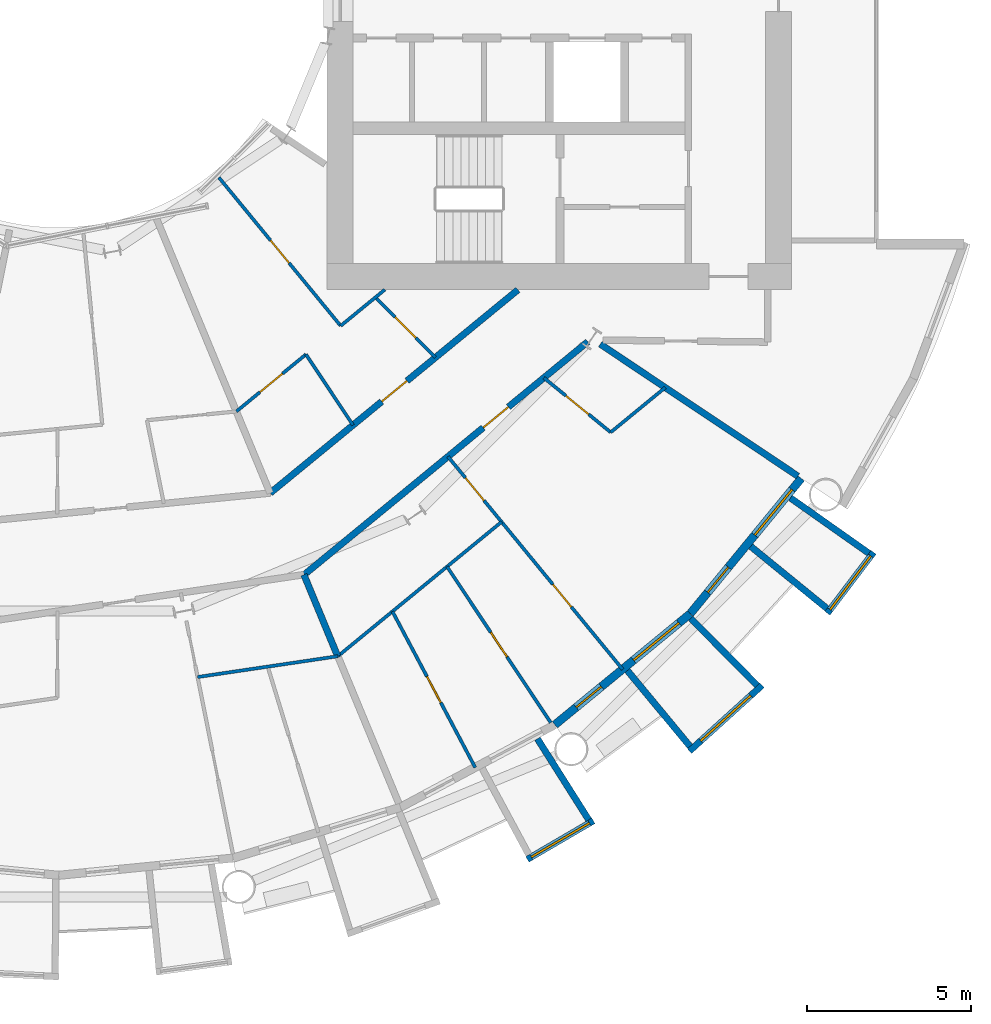
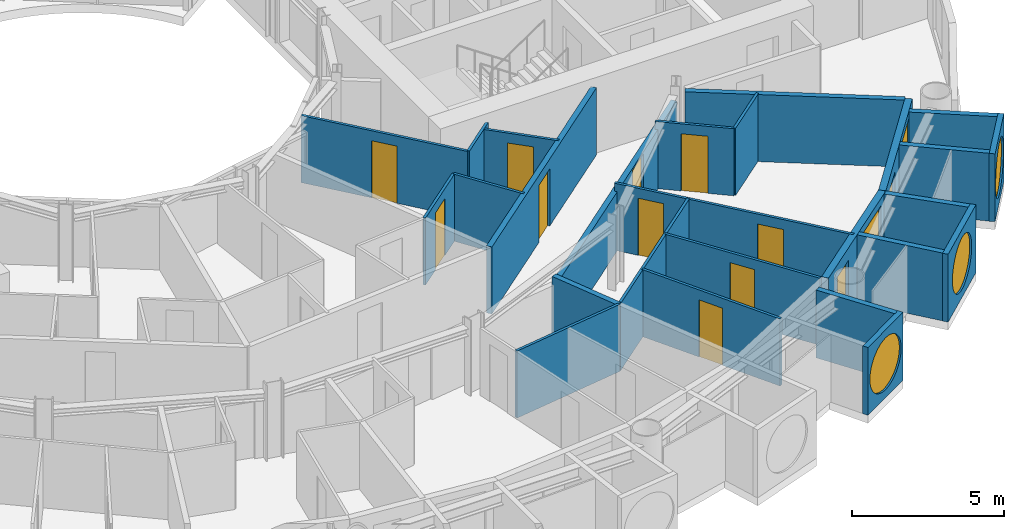
# One storey, part 16 of 26: 26 walls, 12 doors, 5 windows, 17 openings.
"""IFC4 building model written with IfcOpenShell, lengths in metres."""

from ifc_helpers import new_model, si_unit, direction, frame, frame_2d, origin, place, context, subcontext, project, spatial, rectangle, circle, extrude, material, layer, layer_set, type_object, element, fill, save


model = new_model("IFC4")

# Units and contexts
model_context = context("Model", 3, precision=1e-05, world=origin(), true_north=direction((0.0, 1.0)))
body_context = subcontext(model_context, "Body", "Model", "MODEL_VIEW")
ifc_project = project(units=[si_unit("LENGTHUNIT", "METRE"), si_unit("AREAUNIT", "SQUARE_METRE"), si_unit("VOLUMEUNIT", "CUBIC_METRE"), si_unit("PLANEANGLEUNIT", "RADIAN"), si_unit("MASSUNIT", "GRAM", prefix="KILO")], contexts=[model_context])

# Site, building, storey
site_placement = place(None, origin())
site = spatial("IfcSite", under=ifc_project, at=site_placement, CompositionType="ELEMENT")
building_placement = place(site_placement, origin())
building = spatial("IfcBuilding", under=site, at=building_placement, Name="Maasbend Ring Residences", CompositionType="ELEMENT")
storey_placement = place(building_placement, frame((0.0, 0.0, 38.050048828125)))
storey = spatial("IfcBuildingStorey", under=building, at=storey_placement, Name="L10", CompositionType="ELEMENT", Elevation=38.050048828125)

# Wall, opening, door
ifc_material_1 = material(Name="Concrete C30/37", Category="concrete")
ifc_layer_1 = layer(ifc_material_1, 0.199951171875)
ifc_layer_set_1 = layer_set([ifc_layer_1], Name="Concrete C30/37")
wall_type_1 = type_object("IfcWallType", Name="CORRIDOR WALL 200 CONCRETE", PredefinedType="PARTITIONING", material=ifc_layer_set_1)
wall_1_placement = place(storey_placement, frame((7.511962890625, -18.10498046875, 0.0), z_axis=(0.0, 0.0, 1.0), x_axis=(0.772704887747, 0.634765434198, 0.0)))
wall_1 = element("IfcWall", 1, at=wall_1_placement, inside=storey, type_object=wall_type_1, Name="U-L10-w015", PredefinedType="PARTITIONING", context=body_context, shape_type="SweptSolid", body=[
    extrude(rectangle(XDim=11.208740234375, YDim=0.199951171875, at=frame_2d((5.6044921875, 0.0))), origin(), (0.0, 0.0, 1.0), 2.3798828125),
])
opening_1_placement = place(wall_1_placement, frame((7.072021484375, 0.0, 0.0)))
opening_1 = element("IfcOpeningElement", 2, at=opening_1_placement, cuts=wall_1, Name="Opening D-1047", PredefinedType="OPENING", context=body_context, shape_type="SweptSolid", body=[
    extrude(rectangle(XDim=1.0, YDim=2.300048828125, at=frame_2d((0.5, 1.14990234375))), frame((0.0, 0.10986328125, 0.0), z_axis=(0.0, -1.0, 0.0), x_axis=(1.0, 0.0, 0.0)), (0.0, 0.0, 1.0), 0.219970703125),
])
ifc_material_2 = material(Name="Timber, fire-rated, painted", Category="wood")
door_type_1 = type_object("IfcDoorType", Name="FLAT ENTRANCE DOOR 1000 X 2300 FIRE-RATED", OperationType="NOTDEFINED", PredefinedType="DOOR", material=ifc_material_2)
door_1_placement = place(opening_1_placement, origin())
door_1 = element("IfcDoor", 3, at=door_1_placement, inside=storey, type_object=door_type_1, Name="D-1047", OperationType="SINGLE_SWING_RIGHT", OverallHeight=2.300048828125, OverallWidth=1.0, PredefinedType="DOOR", context=body_context, shape_type="SweptSolid", body=[
    extrude(rectangle(XDim=1.0, YDim=2.300048828125, at=frame_2d((0.5, 1.14990234375))), frame((0.0, 0.02490234375, 0.0), z_axis=(0.0, -1.0, 0.0), x_axis=(1.0, 0.0, 0.0)), (0.0, 0.0, 1.0), 0.050048828125),
])
fill(opening_1, door_1)

wall_2_placement = place(storey_placement, frame((6.467041015625, -15.614013671875, 0.0), z_axis=(0.0, 0.0, 1.0), x_axis=(0.773084654695, 0.634302858794, 0.0)))
wall_2 = element("IfcWall", 4, at=wall_2_placement, inside=storey, type_object=wall_type_1, Name="U-L10-w017", PredefinedType="PARTITIONING", context=body_context, shape_type="SweptSolid", body=[
    extrude(rectangle(XDim=9.793212890625, YDim=0.199951171875, at=frame_2d((4.896484375, 0.0))), origin(), (0.0, 0.0, 1.0), 2.699951171875),
])
opening_2_placement = place(wall_2_placement, frame((4.406982421875, 0.0, 0.0)))
opening_2 = element("IfcOpeningElement", 5, at=opening_2_placement, cuts=wall_2, Name="Opening D-1061", PredefinedType="OPENING", context=body_context, shape_type="SweptSolid", body=[
    extrude(rectangle(XDim=1.0, YDim=2.300048828125, at=frame_2d((0.5, 1.14990234375))), frame((0.0, 0.10986328125, 0.0), z_axis=(0.0, -1.0, 0.0), x_axis=(1.0, 0.0, 0.0)), (0.0, 0.0, 1.0), 0.219970703125),
])
door_2_placement = place(opening_2_placement, origin())
door_2 = element("IfcDoor", 6, at=door_2_placement, inside=storey, type_object=door_type_1, Name="D-1061", OperationType="SINGLE_SWING_RIGHT", OverallHeight=2.300048828125, OverallWidth=1.0, PredefinedType="DOOR", context=body_context, shape_type="SweptSolid", body=[
    extrude(rectangle(XDim=1.0, YDim=2.300048828125, at=frame_2d((0.5, 1.14990234375))), frame((0.0, 0.02490234375, 0.0), z_axis=(0.0, -1.0, 0.0), x_axis=(1.0, 0.0, 0.0)), (0.0, 0.0, 1.0), 0.050048828125),
])
fill(opening_2, door_2)

# Wall, opening, window
ifc_material_3 = material(Name="Pale anodised aluminium panel", Category="aluminium")
ifc_layer_2 = layer(ifc_material_3, 0.199951171875)
ifc_layer_set_2 = layer_set([ifc_layer_2], Name="EW-BOX")
wall_type_2 = type_object("IfcWallType", Name="EW-BOX", PredefinedType="SOLIDWALL", material=ifc_layer_set_2)
wall_3_placement = place(storey_placement, frame((14.326904296875, -26.81201171875, -0.030029296875), z_axis=(0.0, 0.0, 1.0), x_axis=(0.863346521872, 0.504611517081, 0.0)))
wall_3 = element("IfcWall", 7, at=wall_3_placement, inside=storey, type_object=wall_type_2, Name="Box front S16", PredefinedType="SOLIDWALL", context=body_context, shape_type="SweptSolid", body=[
    extrude(rectangle(XDim=2.33642578125, YDim=0.199951171875, at=frame_2d((1.168212890625, 0.0))), origin(), (0.0, 0.0, 1.0), 2.72998046875),
])
opening_3_placement = place(wall_3_placement, frame((0.128173828125, 0.0, 0.330078125)))
opening_3 = element("IfcOpeningElement", 8, at=opening_3_placement, cuts=wall_3, Name="Opening W-RD", PredefinedType="OPENING", context=body_context, shape_type="SweptSolid", body=[
    extrude(circle(Radius=1.0400390625, at=frame_2d((1.0400390625, 1.0400390625))), frame((0.0, 0.10986328125, 0.0), z_axis=(0.0, -1.0, 0.0), x_axis=(1.0, 0.0, 0.0)), (0.0, 0.0, 1.0), 0.219970703125),
])
ifc_material_4 = material(Name="Aluminium and clear glass", Category="aluminium")
window_type_1 = type_object("IfcWindowType", Name="W-RD", PartitioningType="SINGLE_PANEL", PredefinedType="WINDOW", material=ifc_material_4)
window_1_placement = place(opening_3_placement, origin())
window_1 = element("IfcWindow", 9, at=window_1_placement, inside=storey, type_object=window_type_1, Name="Round window S16", OverallHeight=2.080078125, OverallWidth=2.080078125, PartitioningType="SINGLE_PANEL", PredefinedType="WINDOW", context=body_context, shape_type="SweptSolid", body=[
    extrude(circle(Radius=1.0400390625, at=frame_2d((1.0400390625, 1.0400390625))), frame((0.0, 0.030029296875, 0.0), z_axis=(0.0, -1.0, 0.0), x_axis=(1.0, 0.0, 0.0)), (0.0, 0.0, 1.0), 0.06005859375),
])
fill(opening_3, window_1)

# Wall
wall_4_placement = place(storey_placement, frame((14.635009765625, -23.1259765625, -0.030029296875), z_axis=(0.0, 0.0, 1.0), x_axis=(0.534437802731, -0.845207805816, 0.0)))
element("IfcWall", 10, at=wall_4_placement, inside=storey, type_object=wall_type_2, Name="Box side wall S16 right", PredefinedType="SOLIDWALL", context=body_context, shape_type="SweptSolid", body=[
    extrude(rectangle(XDim=2.931884765625, YDim=0.199951171875, at=frame_2d((1.4658203125, 0.0))), origin(), (0.0, 0.0, 1.0), 2.72998046875),
])

# Wall, opening, window
wall_5_placement = place(storey_placement, frame((19.281982421875, -23.5029296875, -0.030029296875), z_axis=(0.0, 0.0, 1.0), x_axis=(0.740998365753, 0.671506829416, 0.0)))
wall_5 = element("IfcWall", 11, at=wall_5_placement, inside=storey, type_object=wall_type_2, Name="Box front S18", PredefinedType="SOLIDWALL", context=body_context, shape_type="SweptSolid", body=[
    extrude(rectangle(XDim=2.9931640625, YDim=0.199951171875, at=frame_2d((1.49658203125, 0.0))), origin(), (0.0, 0.0, 1.0), 2.72998046875),
])
opening_4_placement = place(wall_5_placement, frame((0.45654296875, 0.0, 0.330078125)))
opening_4 = element("IfcOpeningElement", 12, at=opening_4_placement, cuts=wall_5, Name="Opening W-RD", PredefinedType="OPENING", context=body_context, shape_type="SweptSolid", body=[
    extrude(circle(Radius=1.0400390625, at=frame_2d((1.0400390625, 1.0400390625))), frame((0.0, 0.10986328125, 0.0), z_axis=(0.0, -1.0, 0.0), x_axis=(1.0, 0.0, 0.0)), (0.0, 0.0, 1.0), 0.219970703125),
])
window_2_placement = place(opening_4_placement, origin())
window_2 = element("IfcWindow", 13, at=window_2_placement, inside=storey, type_object=window_type_1, Name="Round window S18", OverallHeight=2.080078125, OverallWidth=2.080078125, PartitioningType="SINGLE_PANEL", PredefinedType="WINDOW", context=body_context, shape_type="SweptSolid", body=[
    extrude(circle(Radius=1.0400390625, at=frame_2d((1.0400390625, 1.0400390625))), frame((0.0, 0.030029296875, 0.0), z_axis=(0.0, -1.0, 0.0), x_axis=(1.0, 0.0, 0.0)), (0.0, 0.0, 1.0), 0.06005859375),
])
fill(opening_4, window_2)

# Walls
wall_6_placement = place(storey_placement, frame((17.384033203125, -21.041015625, -0.030029296875), z_axis=(0.0, 0.0, 1.0), x_axis=(0.63709551667, -0.770784861449, 0.0)))
element("IfcWall", 14, at=wall_6_placement, inside=storey, type_object=wall_type_2, Name="Box side wall S18 left", PredefinedType="SOLIDWALL", context=body_context, shape_type="SweptSolid", body=[
    extrude(rectangle(XDim=3.005859375, YDim=0.199951171875, at=frame_2d((1.5029296875, 0.0))), origin(), (0.0, 0.0, 1.0), 2.72998046875),
])
wall_7_placement = place(storey_placement, frame((19.322998046875, -19.449951171875, -0.030029296875), z_axis=(0.0, 0.0, 1.0), x_axis=(0.704476739375, -0.709727076896, 0.0)))
element("IfcWall", 15, at=wall_7_placement, inside=storey, type_object=wall_type_2, Name="Box side wall S18 right", PredefinedType="SOLIDWALL", context=body_context, shape_type="SweptSolid", body=[
    extrude(rectangle(XDim=2.883056640625, YDim=0.199951171875, at=frame_2d((1.44140625, 0.0))), origin(), (0.0, 0.0, 1.0), 2.72998046875),
])

# Wall, opening, window
wall_8_placement = place(storey_placement, frame((23.4970703125, -19.2890625, -0.030029296875), z_axis=(0.0, 0.0, 1.0), x_axis=(0.60418752353, 0.796842165306, 0.0)))
wall_8 = element("IfcWall", 16, at=wall_8_placement, inside=storey, type_object=wall_type_2, Name="Box front S20", PredefinedType="SOLIDWALL", context=body_context, shape_type="SweptSolid", body=[
    extrude(rectangle(XDim=2.3369140625, YDim=0.199951171875, at=frame_2d((1.16845703125, 0.0))), origin(), (0.0, 0.0, 1.0), 2.72998046875),
])
opening_5_placement = place(wall_8_placement, frame((0.128173828125, 0.0, 0.330078125)))
opening_5 = element("IfcOpeningElement", 17, at=opening_5_placement, cuts=wall_8, Name="Opening W-RD", PredefinedType="OPENING", context=body_context, shape_type="SweptSolid", body=[
    extrude(circle(Radius=1.0400390625, at=frame_2d((1.0400390625, 1.0400390625))), frame((0.0, 0.10986328125, 0.0), z_axis=(0.0, -1.0, 0.0), x_axis=(1.0, 0.0, 0.0)), (0.0, 0.0, 1.0), 0.219970703125),
])
window_3_placement = place(opening_5_placement, origin())
window_3 = element("IfcWindow", 18, at=window_3_placement, inside=storey, type_object=window_type_1, Name="Round window S20", OverallHeight=2.080078125, OverallWidth=2.080078125, PartitioningType="SINGLE_PANEL", PredefinedType="WINDOW", context=body_context, shape_type="SweptSolid", body=[
    extrude(circle(Radius=1.0400390625, at=frame_2d((1.0400390625, 1.0400390625))), frame((0.0, 0.030029296875, 0.0), z_axis=(0.0, -1.0, 0.0), x_axis=(1.0, 0.0, 0.0)), (0.0, 0.0, 1.0), 0.06005859375),
])
fill(opening_5, window_3)

# Walls
wall_9_placement = place(storey_placement, frame((21.155029296875, -17.24609375, -0.030029296875), z_axis=(0.0, 0.0, 1.0), x_axis=(0.775179004516, -0.631741648902, 0.0)))
element("IfcWall", 19, at=wall_9_placement, inside=storey, type_object=wall_type_2, Name="Box side wall S20 left", PredefinedType="SOLIDWALL", context=body_context, shape_type="SweptSolid", body=[
    extrude(rectangle(XDim=3.005859375, YDim=0.199951171875, at=frame_2d((1.5029296875, 0.0))), origin(), (0.0, 0.0, 1.0), 2.72998046875),
])
wall_10_placement = place(storey_placement, frame((22.3701171875, -15.764892578125, -0.030029296875), z_axis=(0.0, 0.0, 1.0), x_axis=(0.817256123454, -0.576274612209, 0.0)))
element("IfcWall", 20, at=wall_10_placement, inside=storey, type_object=wall_type_2, Name="Box side wall S20 right", PredefinedType="SOLIDWALL", context=body_context, shape_type="SweptSolid", body=[
    extrude(rectangle(XDim=2.932861328125, YDim=0.199951171875, at=frame_2d((1.46630859375, 0.0))), origin(), (0.0, 0.0, 1.0), 2.72998046875),
])

# Wall, openings, door, window
ifc_material_5 = material(Name="Aluminium clad insulated panel", Category="aluminium")
ifc_layer_3 = layer(ifc_material_5, 0.25)
ifc_layer_set_3 = layer_set([ifc_layer_3], Name="EW-GL")
wall_type_3 = type_object("IfcWallType", Name="EW-GL", PredefinedType="SOLIDWALL", material=ifc_layer_set_3)
wall_11_placement = place(storey_placement, frame((15.1669921875, -22.698974609375, 0.0), z_axis=(0.0, 0.0, 1.0), x_axis=(0.773019449054, 0.634382322723, 0.0)))
wall_11 = element("IfcWall", 21, at=wall_11_placement, inside=storey, type_object=wall_type_3, Name="External wall S09", PredefinedType="SOLIDWALL", context=body_context, shape_type="SweptSolid", body=[
    extrude(rectangle(XDim=5.351806640625, YDim=0.25, at=frame_2d((2.67578125, 0.0))), origin(), (0.0, 0.0, 1.0), 2.699951171875),
])
opening_6_placement = place(wall_11_placement, frame((0.841064453125, 0.0, 0.0)))
opening_6 = element("IfcOpeningElement", 22, at=opening_6_placement, cuts=wall_11, Name="Opening D-LG", PredefinedType="OPENING", context=body_context, shape_type="SweptSolid", body=[
    extrude(rectangle(XDim=1.0, YDim=2.199951171875, at=frame_2d((0.5, 1.10009765625))), frame((0.0, 0.135009765625, 0.0), z_axis=(0.0, -1.0, 0.0), x_axis=(1.0, 0.0, 0.0)), (0.0, 0.0, 1.0), 0.27001953125),
])
opening_7_placement = place(wall_11_placement, frame((3.110595703125, 0.0, 0.300048828125)))
opening_7 = element("IfcOpeningElement", 23, at=opening_7_placement, cuts=wall_11, Name="Opening W-BX", PredefinedType="OPENING", context=body_context, shape_type="SweptSolid", body=[
    extrude(rectangle(XDim=1.800048828125, YDim=2.10009765625, at=frame_2d((0.89990234375, 1.050048828125))), frame((0.0, 0.135009765625, 0.0), z_axis=(0.0, -1.0, 0.0), x_axis=(1.0, 0.0, 0.0)), (0.0, 0.0, 1.0), 0.27001953125),
])
ifc_material_6 = material(Name="Aluminium and clear glass", Category="aluminium")
door_type_2 = type_object("IfcDoorType", Name="D-LG", OperationType="SINGLE_SWING_LEFT", PredefinedType="DOOR", material=ifc_material_6)
door_3_placement = place(opening_6_placement, origin())
door_3 = element("IfcDoor", 24, at=door_3_placement, inside=storey, type_object=door_type_2, Name="Loggia door S17", OperationType="SINGLE_SWING_LEFT", OverallHeight=2.199951171875, OverallWidth=1.0, PredefinedType="DOOR", context=body_context, shape_type="SweptSolid", body=[
    extrude(rectangle(XDim=1.0, YDim=2.199951171875, at=frame_2d((0.5, 1.10009765625))), frame((0.0, 0.02490234375, 0.0), z_axis=(0.0, -1.0, 0.0), x_axis=(1.0, 0.0, 0.0)), (0.0, 0.0, 1.0), 0.050048828125),
])
fill(opening_6, door_3)
ifc_material_7 = material(Name="Aluminium and clear glass", Category="aluminium")
window_type_2 = type_object("IfcWindowType", Name="W-BX", PartitioningType="DOUBLE_PANEL_VERTICAL", PredefinedType="WINDOW", material=ifc_material_7)
window_4_placement = place(opening_7_placement, origin())
window_4 = element("IfcWindow", 25, at=window_4_placement, inside=storey, type_object=window_type_2, Name="Window S18 room to box", OverallHeight=2.10009765625, OverallWidth=1.800048828125, PartitioningType="SINGLE_PANEL", PredefinedType="WINDOW", context=body_context, shape_type="SweptSolid", body=[
    extrude(rectangle(XDim=1.800048828125, YDim=2.10009765625, at=frame_2d((0.89990234375, 1.050048828125))), frame((0.0, 0.030029296875, 0.0), z_axis=(0.0, -1.0, 0.0), x_axis=(1.0, 0.0, 0.0)), (0.0, 0.0, 1.0), 0.06005859375),
])
fill(opening_7, window_4)

wall_12_placement = place(storey_placement, frame((19.303955078125, -19.303955078125, 0.0), z_axis=(0.0, 0.0, 1.0), x_axis=(0.634382322723, 0.773019449054, 0.0)))
wall_12 = element("IfcWall", 26, at=wall_12_placement, inside=storey, type_object=wall_type_3, Name="External wall S10", PredefinedType="SOLIDWALL", context=body_context, shape_type="SweptSolid", body=[
    extrude(rectangle(XDim=5.351806640625, YDim=0.25, at=frame_2d((2.67578125, 0.0))), origin(), (0.0, 0.0, 1.0), 2.699951171875),
])
opening_8_placement = place(wall_12_placement, frame((0.841064453125, 0.0, 0.0)))
opening_8 = element("IfcOpeningElement", 27, at=opening_8_placement, cuts=wall_12, Name="Opening D-LG", PredefinedType="OPENING", context=body_context, shape_type="SweptSolid", body=[
    extrude(rectangle(XDim=1.0, YDim=2.199951171875, at=frame_2d((0.5, 1.10009765625))), frame((0.0, 0.135009765625, 0.0), z_axis=(0.0, -1.0, 0.0), x_axis=(1.0, 0.0, 0.0)), (0.0, 0.0, 1.0), 0.27001953125),
])
opening_9_placement = place(wall_12_placement, frame((3.110595703125, 0.0, 0.300048828125)))
opening_9 = element("IfcOpeningElement", 28, at=opening_9_placement, cuts=wall_12, Name="Opening W-BX", PredefinedType="OPENING", context=body_context, shape_type="SweptSolid", body=[
    extrude(rectangle(XDim=1.800048828125, YDim=2.10009765625, at=frame_2d((0.89990234375, 1.050048828125))), frame((0.0, 0.135009765625, 0.0), z_axis=(0.0, -1.0, 0.0), x_axis=(1.0, 0.0, 0.0)), (0.0, 0.0, 1.0), 0.27001953125),
])
door_4_placement = place(opening_8_placement, origin())
door_4 = element("IfcDoor", 29, at=door_4_placement, inside=storey, type_object=door_type_2, Name="Loggia door S19", OperationType="SINGLE_SWING_LEFT", OverallHeight=2.199951171875, OverallWidth=1.0, PredefinedType="DOOR", context=body_context, shape_type="SweptSolid", body=[
    extrude(rectangle(XDim=1.0, YDim=2.199951171875, at=frame_2d((0.5, 1.10009765625))), frame((0.0, 0.02490234375, 0.0), z_axis=(0.0, -1.0, 0.0), x_axis=(1.0, 0.0, 0.0)), (0.0, 0.0, 1.0), 0.050048828125),
])
fill(opening_8, door_4)
window_5_placement = place(opening_9_placement, origin())
window_5 = element("IfcWindow", 30, at=window_5_placement, inside=storey, type_object=window_type_2, Name="Window S20 room to box", OverallHeight=2.10009765625, OverallWidth=1.800048828125, PartitioningType="SINGLE_PANEL", PredefinedType="WINDOW", context=body_context, shape_type="SweptSolid", body=[
    extrude(rectangle(XDim=1.800048828125, YDim=2.10009765625, at=frame_2d((0.89990234375, 1.050048828125))), frame((0.0, 0.030029296875, 0.0), z_axis=(0.0, -1.0, 0.0), x_axis=(1.0, 0.0, 0.0)), (0.0, 0.0, 1.0), 0.06005859375),
])
fill(opening_9, window_5)

# Walls
ifc_material_8 = material(Name="Gypsum board on steel studs", Category="steel")
ifc_layer_4 = layer(ifc_material_8, 0.10009765625)
ifc_layer_set_4 = layer_set([ifc_layer_4], Name="PARTITION 100 GYPSUM")
wall_type_4 = type_object("IfcWallType", Name="PARTITION 100 GYPSUM", PredefinedType="PARTITIONING", material=ifc_layer_set_4)
wall_13_placement = place(storey_placement, frame((4.24609375, -21.239013671875, 0.0), z_axis=(0.0, 0.0, 1.0), x_axis=(0.989178348771, 0.146718077695, 0.0)))
element("IfcWall", 31, at=wall_13_placement, inside=storey, type_object=wall_type_4, Name="U-L10-w006", PredefinedType="PARTITIONING", context=body_context, shape_type="SweptSolid", body=[
    extrude(rectangle(XDim=4.334716796875, YDim=0.10009765625, at=frame_2d((2.16748046875, 0.0))), origin(), (0.0, 0.0, 1.0), 2.699951171875),
])
wall_14_placement = place(storey_placement, frame((8.533935546875, -20.60302734375, 0.0), z_axis=(0.0, 0.0, 1.0), x_axis=(0.773000340237, 0.634405606843, 0.0)))
element("IfcWall", 32, at=wall_14_placement, inside=storey, type_object=wall_type_4, Name="U-L10-w009", PredefinedType="PARTITIONING", context=body_context, shape_type="SweptSolid", body=[
    extrude(rectangle(XDim=6.4736328125, YDim=0.10009765625, at=frame_2d((3.23681640625, 0.0))), origin(), (0.0, 0.0, 1.0), 2.699951171875),
])
wall_15_placement = place(storey_placement, frame((16.8740234375, -13.758056640625, 0.0), z_axis=(0.0, 0.0, 1.0), x_axis=(0.772948171844, 0.634469166818, 0.0)))
element("IfcWall", 33, at=wall_15_placement, inside=storey, type_object=wall_type_4, Name="U-L10-w010", PredefinedType="PARTITIONING", context=body_context, shape_type="SweptSolid", body=[
    extrude(rectangle(XDim=2.157958984375, YDim=0.10009765625, at=frame_2d((1.0791015625, 0.0))), origin(), (0.0, 0.0, 1.0), 2.699951171875),
])

# Wall, opening, door
wall_16_placement = place(storey_placement, frame((5.43408203125, -13.118896484375, 0.0), z_axis=(0.0, 0.0, 1.0), x_axis=(0.773049907698, 0.634345205868, 0.0)))
wall_16 = element("IfcWall", 34, at=wall_16_placement, inside=storey, type_object=wall_type_4, Name="U-L10-w021", PredefinedType="PARTITIONING", context=body_context, shape_type="SweptSolid", body=[
    extrude(rectangle(XDim=2.74755859375, YDim=0.10009765625, at=frame_2d((1.373779296875, 0.0))), origin(), (0.0, 0.0, 1.0), 2.699951171875),
])
opening_10_placement = place(wall_16_placement, frame((0.924072265625, 0.0, 0.0)))
opening_10 = element("IfcOpeningElement", 35, at=opening_10_placement, cuts=wall_16, Name="Opening D-1062", PredefinedType="OPENING", context=body_context, shape_type="SweptSolid", body=[
    extrude(rectangle(XDim=0.89990234375, YDim=2.300048828125, at=frame_2d((0.449951171875, 1.14990234375))), frame((0.0, 0.06005859375, 0.0), z_axis=(0.0, -1.0, 0.0), x_axis=(1.0, 0.0, 0.0)), (0.0, 0.0, 1.0), 0.1201171875),
])
ifc_material_9 = material(Name="Timber, painted", Category="wood")
door_type_3 = type_object("IfcDoorType", Name="INTERNAL DOOR 900 X 2300", OperationType="NOTDEFINED", PredefinedType="DOOR", material=ifc_material_9)
door_5_placement = place(opening_10_placement, origin())
door_5 = element("IfcDoor", 36, at=door_5_placement, inside=storey, type_object=door_type_3, Name="D-1062", OperationType="SINGLE_SWING_RIGHT", OverallHeight=2.300048828125, OverallWidth=0.89990234375, PredefinedType="DOOR", context=body_context, shape_type="SweptSolid", body=[
    extrude(rectangle(XDim=0.89990234375, YDim=2.300048828125, at=frame_2d((0.449951171875, 1.14990234375))), frame((0.0, 0.02490234375, 0.0), z_axis=(0.0, -1.0, 0.0), x_axis=(1.0, 0.0, 0.0)), (0.0, 0.0, 1.0), 0.050048828125),
])
fill(opening_10, door_5)

# Wall
wall_17_placement = place(storey_placement, frame((8.618896484375, -10.5048828125, 0.0), z_axis=(0.0, 0.0, 1.0), x_axis=(0.77321028337, 0.634149712363, 0.0)))
element("IfcWall", 37, at=wall_17_placement, inside=storey, type_object=wall_type_4, Name="U-L10-w022", PredefinedType="PARTITIONING", context=body_context, shape_type="SweptSolid", body=[
    extrude(rectangle(XDim=1.74853515625, YDim=0.10009765625, at=frame_2d((0.874267578125, 0.0))), origin(), (0.0, 0.0, 1.0), 2.699951171875),
])

# Wall, opening, door
wall_18_placement = place(storey_placement, frame((4.89697265625, -5.968994140625, 0.0), z_axis=(0.0, 0.0, 1.0), x_axis=(0.634539754242, -0.772890225249, 0.0)))
wall_18 = element("IfcWall", 38, at=wall_18_placement, inside=storey, type_object=wall_type_4, Name="U-L10-w070", PredefinedType="PARTITIONING", context=body_context, shape_type="SweptSolid", body=[
    extrude(rectangle(XDim=5.867431640625, YDim=0.10009765625, at=frame_2d((2.93359375, 0.0))), origin(), (0.0, 0.0, 1.0), 2.699951171875),
])
opening_11_placement = place(wall_18_placement, frame((2.48388671875, 0.0, 0.0)))
opening_11 = element("IfcOpeningElement", 39, at=opening_11_placement, cuts=wall_18, Name="Opening D-1064", PredefinedType="OPENING", context=body_context, shape_type="SweptSolid", body=[
    extrude(rectangle(XDim=0.89990234375, YDim=2.300048828125, at=frame_2d((0.449951171875, 1.14990234375))), frame((0.0, 0.06005859375, 0.0), z_axis=(0.0, -1.0, 0.0), x_axis=(1.0, 0.0, 0.0)), (0.0, 0.0, 1.0), 0.1201171875),
])
door_6_placement = place(opening_11_placement, origin())
door_6 = element("IfcDoor", 40, at=door_6_placement, inside=storey, type_object=door_type_3, Name="D-1064", OperationType="SINGLE_SWING_LEFT", OverallHeight=2.300048828125, OverallWidth=0.89990234375, PredefinedType="DOOR", context=body_context, shape_type="SweptSolid", body=[
    extrude(rectangle(XDim=0.89990234375, YDim=2.300048828125, at=frame_2d((0.449951171875, 1.14990234375))), frame((0.0, 0.02490234375, 0.0), z_axis=(0.0, -1.0, 0.0), x_axis=(1.0, 0.0, 0.0)), (0.0, 0.0, 1.0), 0.050048828125),
])
fill(opening_11, door_6)

# Wall
wall_19_placement = place(storey_placement, frame((7.55810546875, -11.3759765625, 0.0), z_axis=(0.0, 0.0, 1.0), x_axis=(0.553615197403, -0.83277260594, 0.0)))
element("IfcWall", 41, at=wall_19_placement, inside=storey, type_object=wall_type_4, Name="U-L10-w075", PredefinedType="PARTITIONING", context=body_context, shape_type="SweptSolid", body=[
    extrude(rectangle(XDim=2.597412109375, YDim=0.10009765625, at=frame_2d((1.298828125, 0.0))), origin(), (0.0, 0.0, 1.0), 2.699951171875),
])

# Wall, opening, door
wall_20_placement = place(storey_placement, frame((9.678955078125, -9.635986328125, 0.0), z_axis=(0.0, 0.0, 1.0), x_axis=(0.708843617398, -0.705365668341, 0.0)))
wall_20 = element("IfcWall", 42, at=wall_20_placement, inside=storey, type_object=wall_type_4, Name="U-L10-w078", PredefinedType="PARTITIONING", context=body_context, shape_type="SweptSolid", body=[
    extrude(rectangle(XDim=2.59716796875, YDim=0.10009765625, at=frame_2d((1.298583984375, 0.0))), origin(), (0.0, 0.0, 1.0), 2.699951171875),
])
opening_12_placement = place(wall_20_placement, frame((0.84912109375, 0.0, 0.0)))
opening_12 = element("IfcOpeningElement", 43, at=opening_12_placement, cuts=wall_20, Name="Opening D-1063", PredefinedType="OPENING", context=body_context, shape_type="SweptSolid", body=[
    extrude(rectangle(XDim=0.89990234375, YDim=2.300048828125, at=frame_2d((0.449951171875, 1.14990234375))), frame((0.0, 0.06005859375, 0.0), z_axis=(0.0, -1.0, 0.0), x_axis=(1.0, 0.0, 0.0)), (0.0, 0.0, 1.0), 0.1201171875),
])
door_7_placement = place(opening_12_placement, origin())
door_7 = element("IfcDoor", 44, at=door_7_placement, inside=storey, type_object=door_type_3, Name="D-1063", OperationType="SINGLE_SWING_RIGHT", OverallHeight=2.300048828125, OverallWidth=0.89990234375, PredefinedType="DOOR", context=body_context, shape_type="SweptSolid", body=[
    extrude(rectangle(XDim=0.89990234375, YDim=2.300048828125, at=frame_2d((0.449951171875, 1.14990234375))), frame((0.0, 0.02490234375, 0.0), z_axis=(0.0, -1.0, 0.0), x_axis=(1.0, 0.0, 0.0)), (0.0, 0.0, 1.0), 0.050048828125),
])
fill(opening_12, door_7)

wall_21_placement = place(storey_placement, frame((10.201904296875, -19.23388671875, 0.0), z_axis=(0.0, 0.0, 1.0), x_axis=(0.468610030042, -0.883405139075, 0.0)))
wall_21 = element("IfcWall", 45, at=wall_21_placement, inside=storey, type_object=wall_type_4, Name="U-L10-w080", PredefinedType="PARTITIONING", context=body_context, shape_type="SweptSolid", body=[
    extrude(rectangle(XDim=5.403076171875, YDim=0.10009765625, at=frame_2d((2.70166015625, 0.0))), origin(), (0.0, 0.0, 1.0), 2.699951171875),
])
opening_13_placement = place(wall_21_placement, frame((2.251953125, 0.0, 0.0)))
opening_13 = element("IfcOpeningElement", 46, at=opening_13_placement, cuts=wall_21, Name="Opening D-1052", PredefinedType="OPENING", context=body_context, shape_type="SweptSolid", body=[
    extrude(rectangle(XDim=0.89990234375, YDim=2.300048828125, at=frame_2d((0.449951171875, 1.14990234375))), frame((0.0, 0.06005859375, 0.0), z_axis=(0.0, -1.0, 0.0), x_axis=(1.0, 0.0, 0.0)), (0.0, 0.0, 1.0), 0.1201171875),
])
door_8_placement = place(opening_13_placement, origin())
door_8 = element("IfcDoor", 47, at=door_8_placement, inside=storey, type_object=door_type_3, Name="D-1052", OperationType="SINGLE_SWING_RIGHT", OverallHeight=2.300048828125, OverallWidth=0.89990234375, PredefinedType="DOOR", context=body_context, shape_type="SweptSolid", body=[
    extrude(rectangle(XDim=0.89990234375, YDim=2.300048828125, at=frame_2d((0.449951171875, 1.14990234375))), frame((0.0, 0.02490234375, 0.0), z_axis=(0.0, -1.0, 0.0), x_axis=(1.0, 0.0, 0.0)), (0.0, 0.0, 1.0), 0.050048828125),
])
fill(opening_13, door_8)

wall_22_placement = place(storey_placement, frame((11.87109375, -17.864013671875, 0.0), z_axis=(0.0, 0.0, 1.0), x_axis=(0.553637025191, -0.83275809473, 0.0)))
wall_22 = element("IfcWall", 48, at=wall_22_placement, inside=storey, type_object=wall_type_4, Name="U-L10-w083", PredefinedType="PARTITIONING", context=body_context, shape_type="SweptSolid", body=[
    extrude(rectangle(XDim=5.7255859375, YDim=0.10009765625, at=frame_2d((2.86279296875, 0.0))), origin(), (0.0, 0.0, 1.0), 2.699951171875),
])
opening_14_placement = place(wall_22_placement, frame((2.4130859375, 0.0, 0.0)))
opening_14 = element("IfcOpeningElement", 49, at=opening_14_placement, cuts=wall_22, Name="Opening D-1051", PredefinedType="OPENING", context=body_context, shape_type="SweptSolid", body=[
    extrude(rectangle(XDim=0.89990234375, YDim=2.300048828125, at=frame_2d((0.449951171875, 1.14990234375))), frame((0.0, 0.06005859375, 0.0), z_axis=(0.0, -1.0, 0.0), x_axis=(1.0, 0.0, 0.0)), (0.0, 0.0, 1.0), 0.1201171875),
])
door_9_placement = place(opening_14_placement, origin())
door_9 = element("IfcDoor", 50, at=door_9_placement, inside=storey, type_object=door_type_3, Name="D-1051", OperationType="SINGLE_SWING_RIGHT", OverallHeight=2.300048828125, OverallWidth=0.89990234375, PredefinedType="DOOR", context=body_context, shape_type="SweptSolid", body=[
    extrude(rectangle(XDim=0.89990234375, YDim=2.300048828125, at=frame_2d((0.449951171875, 1.14990234375))), frame((0.0, 0.02490234375, 0.0), z_axis=(0.0, -1.0, 0.0), x_axis=(1.0, 0.0, 0.0)), (0.0, 0.0, 1.0), 0.050048828125),
])
fill(opening_14, door_9)

# Wall, openings, doors
wall_23_placement = place(storey_placement, frame((11.89892578125, -14.4990234375, 0.0), z_axis=(0.0, 0.0, 1.0), x_axis=(0.634396151441, -0.77300810024, 0.0)))
wall_23 = element("IfcWall", 51, at=wall_23_placement, inside=storey, type_object=wall_type_4, Name="U-L10-w084", PredefinedType="PARTITIONING", context=body_context, shape_type="SweptSolid", body=[
    extrude(rectangle(XDim=8.419189453125, YDim=0.10009765625, at=frame_2d((4.20947265625, 0.0))), origin(), (0.0, 0.0, 1.0), 2.699951171875),
])
opening_15_placement = place(wall_23_placement, frame((0.840087890625, 0.0, 0.0)))
opening_15 = element("IfcOpeningElement", 52, at=opening_15_placement, cuts=wall_23, Name="Opening D-1049", PredefinedType="OPENING", context=body_context, shape_type="SweptSolid", body=[
    extrude(rectangle(XDim=0.89990234375, YDim=2.300048828125, at=frame_2d((0.449951171875, 1.14990234375))), frame((0.0, 0.06005859375, 0.0), z_axis=(0.0, -1.0, 0.0), x_axis=(1.0, 0.0, 0.0)), (0.0, 0.0, 1.0), 0.1201171875),
])
opening_16_placement = place(wall_23_placement, frame((5.051025390625, 0.0, 0.0)))
opening_16 = element("IfcOpeningElement", 53, at=opening_16_placement, cuts=wall_23, Name="Opening D-1050", PredefinedType="OPENING", context=body_context, shape_type="SweptSolid", body=[
    extrude(rectangle(XDim=0.89990234375, YDim=2.300048828125, at=frame_2d((0.449951171875, 1.14990234375))), frame((0.0, 0.06005859375, 0.0), z_axis=(0.0, -1.0, 0.0), x_axis=(1.0, 0.0, 0.0)), (0.0, 0.0, 1.0), 0.1201171875),
])
door_10_placement = place(opening_15_placement, origin())
door_10 = element("IfcDoor", 54, at=door_10_placement, inside=storey, type_object=door_type_3, Name="D-1049", OperationType="SINGLE_SWING_LEFT", OverallHeight=2.300048828125, OverallWidth=0.89990234375, PredefinedType="DOOR", context=body_context, shape_type="SweptSolid", body=[
    extrude(rectangle(XDim=0.89990234375, YDim=2.300048828125, at=frame_2d((0.449951171875, 1.14990234375))), frame((0.0, 0.02490234375, 0.0), z_axis=(0.0, -1.0, 0.0), x_axis=(1.0, 0.0, 0.0)), (0.0, 0.0, 1.0), 0.050048828125),
])
fill(opening_15, door_10)
door_11_placement = place(opening_16_placement, origin())
door_11 = element("IfcDoor", 55, at=door_11_placement, inside=storey, type_object=door_type_3, Name="D-1050", OperationType="SINGLE_SWING_RIGHT", OverallHeight=2.300048828125, OverallWidth=0.89990234375, PredefinedType="DOOR", context=body_context, shape_type="SweptSolid", body=[
    extrude(rectangle(XDim=0.89990234375, YDim=2.300048828125, at=frame_2d((0.449951171875, 1.14990234375))), frame((0.0, 0.02490234375, 0.0), z_axis=(0.0, -1.0, 0.0), x_axis=(1.0, 0.0, 0.0)), (0.0, 0.0, 1.0), 0.050048828125),
])
fill(opening_16, door_11)

# Wall, opening, door
wall_24_placement = place(storey_placement, frame((14.8310546875, -12.092041015625, 0.0), z_axis=(0.0, 0.0, 1.0), x_axis=(0.774979608522, -0.631986239072, 0.0)))
wall_24 = element("IfcWall", 56, at=wall_24_placement, inside=storey, type_object=wall_type_4, Name="U-L10-w086", PredefinedType="PARTITIONING", context=body_context, shape_type="SweptSolid", body=[
    extrude(rectangle(XDim=2.63623046875, YDim=0.10009765625, at=frame_2d((1.318115234375, 0.0))), origin(), (0.0, 0.0, 1.0), 2.699951171875),
])
opening_17_placement = place(wall_24_placement, frame((0.867919921875, 0.0, 0.0)))
opening_17 = element("IfcOpeningElement", 57, at=opening_17_placement, cuts=wall_24, Name="Opening D-1048", PredefinedType="OPENING", context=body_context, shape_type="SweptSolid", body=[
    extrude(rectangle(XDim=0.89990234375, YDim=2.300048828125, at=frame_2d((0.449951171875, 1.14990234375))), frame((0.0, 0.06005859375, 0.0), z_axis=(0.0, -1.0, 0.0), x_axis=(1.0, 0.0, 0.0)), (0.0, 0.0, 1.0), 0.1201171875),
])
door_12_placement = place(opening_17_placement, origin())
door_12 = element("IfcDoor", 58, at=door_12_placement, inside=storey, type_object=door_type_3, Name="D-1048", OperationType="SINGLE_SWING_RIGHT", OverallHeight=2.300048828125, OverallWidth=0.89990234375, PredefinedType="DOOR", context=body_context, shape_type="SweptSolid", body=[
    extrude(rectangle(XDim=0.89990234375, YDim=2.300048828125, at=frame_2d((0.449951171875, 1.14990234375))), frame((0.0, 0.02490234375, 0.0), z_axis=(0.0, -1.0, 0.0), x_axis=(1.0, 0.0, 0.0)), (0.0, 0.0, 1.0), 0.050048828125),
])
fill(opening_17, door_12)

# Walls
ifc_material_10 = material(Name="Concrete C30/37", Category="concrete")
ifc_layer_5 = layer(ifc_material_10, 0.199951171875)
ifc_layer_set_5 = layer_set([ifc_layer_5], Name="Concrete C30/37")
wall_type_5 = type_object("IfcWallType", Name="PARTY WALL 200 CONCRETE", PredefinedType="PARTITIONING", material=ifc_layer_set_5)
wall_25_placement = place(storey_placement, frame((7.49609375, -18.110107421875, 0.0), z_axis=(0.0, 0.0, 1.0), x_axis=(0.382540781694, -0.923938607452, 0.0)))
element("IfcWall", 59, at=wall_25_placement, inside=storey, type_object=wall_type_5, Name="U-L10-w074", PredefinedType="PARTITIONING", context=body_context, shape_type="SweptSolid", body=[
    extrude(rectangle(XDim=2.7001953125, YDim=0.199951171875, at=frame_2d((1.35009765625, 0.0))), origin(), (0.0, 0.0, 1.0), 2.699951171875),
])
wall_26_placement = place(storey_placement, frame((16.553955078125, -11.06201171875, 0.0), z_axis=(0.0, 0.0, 1.0), x_axis=(0.831610607528, -0.555359160765, 0.0)))
element("IfcWall", 60, at=wall_26_placement, inside=storey, type_object=wall_type_5, Name="U-L10-w089", PredefinedType="PARTITIONING", context=body_context, shape_type="SweptSolid", body=[
    extrude(rectangle(XDim=7.265380859375, YDim=0.199951171875, at=frame_2d((3.6328125, 0.0))), origin(), (0.0, 0.0, 1.0), 2.699951171875),
])

save(model, "model.ifc")
